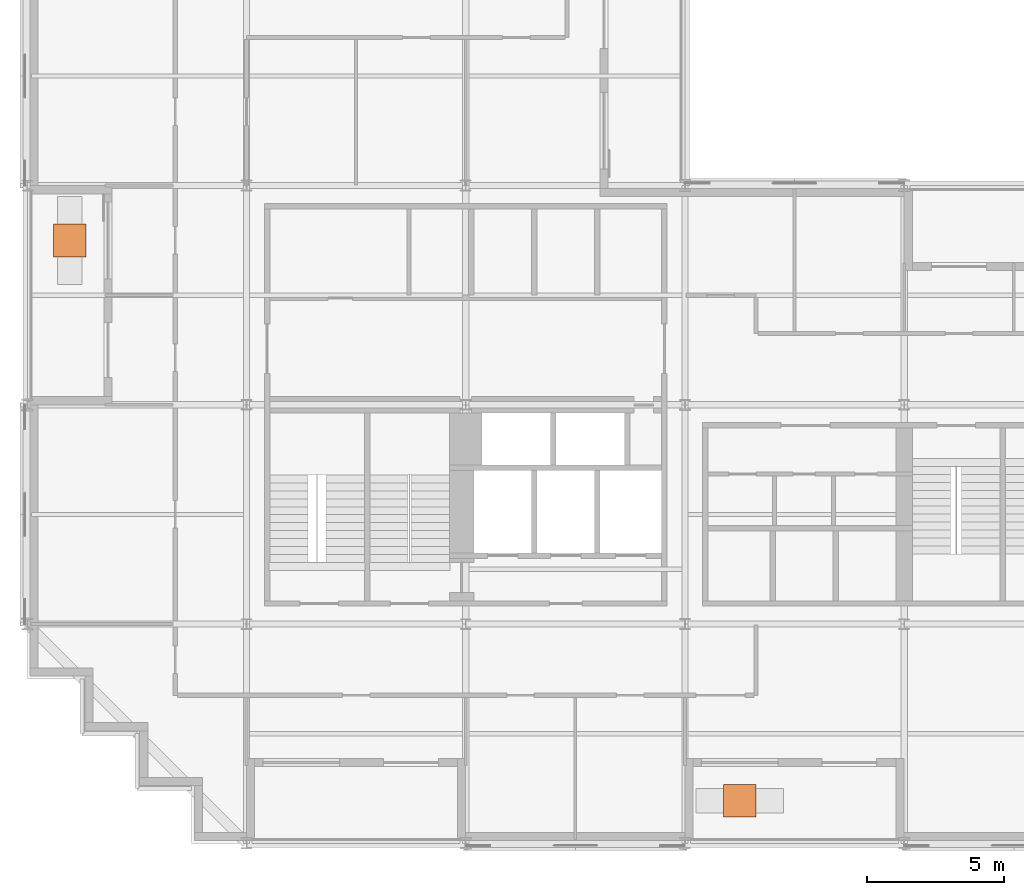
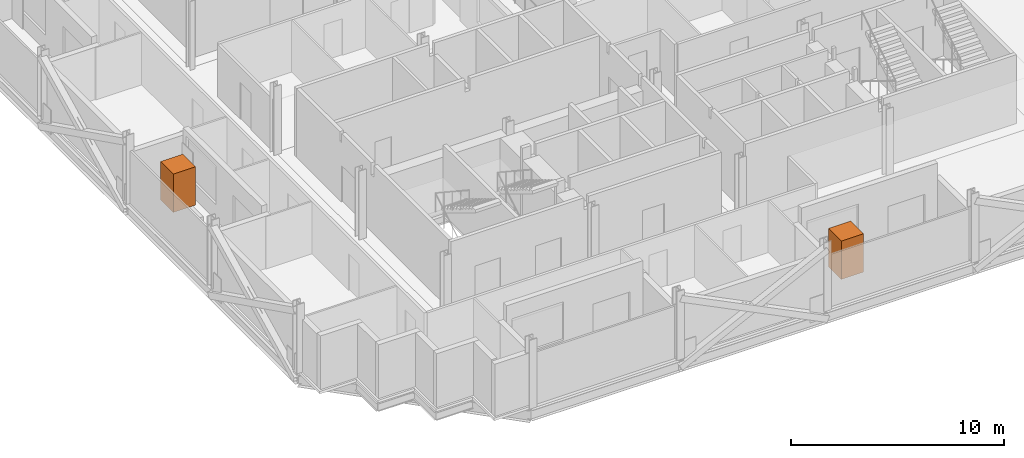
# One storey, part 12 of 12: 2 geographic elements.
"""IFC4 building model written with IfcOpenShell, lengths in metres."""

from ifc_helpers import new_model, si_unit, direction, frame, origin, origin_2d, place, context, subcontext, project, spatial, rectangle, extrude, material, type_object, element, save


model = new_model("IFC4")

# Units and contexts
model_context = context("Model", 3, precision=1e-05, world=origin(), true_north=direction((0.0, 1.0)))
body_context = subcontext(model_context, "Body", "Model", "MODEL_VIEW")
ifc_project = project(units=[si_unit("LENGTHUNIT", "METRE"), si_unit("AREAUNIT", "SQUARE_METRE"), si_unit("VOLUMEUNIT", "CUBIC_METRE"), si_unit("PLANEANGLEUNIT", "RADIAN"), si_unit("MASSUNIT", "GRAM", prefix="KILO")], contexts=[model_context])

# Site, building, storey
site_placement = place(None, origin())
site = spatial("IfcSite", under=ifc_project, at=site_placement, CompositionType="ELEMENT")
building_placement = place(site_placement, origin())
building = spatial("IfcBuilding", under=site, at=building_placement, Name="Immortelle Media Tower", CompositionType="ELEMENT")
storey_placement = place(building_placement, frame((0.0, 0.0, 178.800048828125)))
storey = spatial("IfcBuildingStorey", under=building, at=storey_placement, Name="L37", CompositionType="ELEMENT", Elevation=178.800048828125)

# Geographic elements
ifc_material = material(Name="Tree canopy foliage")
geographic_element_type = type_object("IfcGeographicElementType", Name="Tree", PredefinedType="USERDEFINED", material=ifc_material)
for number, where, z_axis, x_axis, name in (
    (1, (26.0, 1.550048828125, 0.60009765625), (0.0, 0.0, 1.0), (1.0, 0.0, 0.0), "Tree L37 S2"),
    (2, (1.550048828125, 22.0, 0.60009765625), (0.0, 0.0, 1.0), (1.0, 0.0, 0.0), "Tree L37 W2"),
):
    element("IfcGeographicElement", number, at=place(storey_placement, frame(where, z_axis=z_axis, x_axis=x_axis)), inside=storey, type_object=geographic_element_type, Name=name, ObjectType="Tree", PredefinedType="USERDEFINED", context=body_context, shape_type="SweptSolid", body=[
        extrude(rectangle(XDim=1.199951171875, YDim=1.199951171875, at=origin_2d()), origin(), (0.0, 0.0, 1.0), 2.199951171875),
    ])

save(model, "model.ifc")
